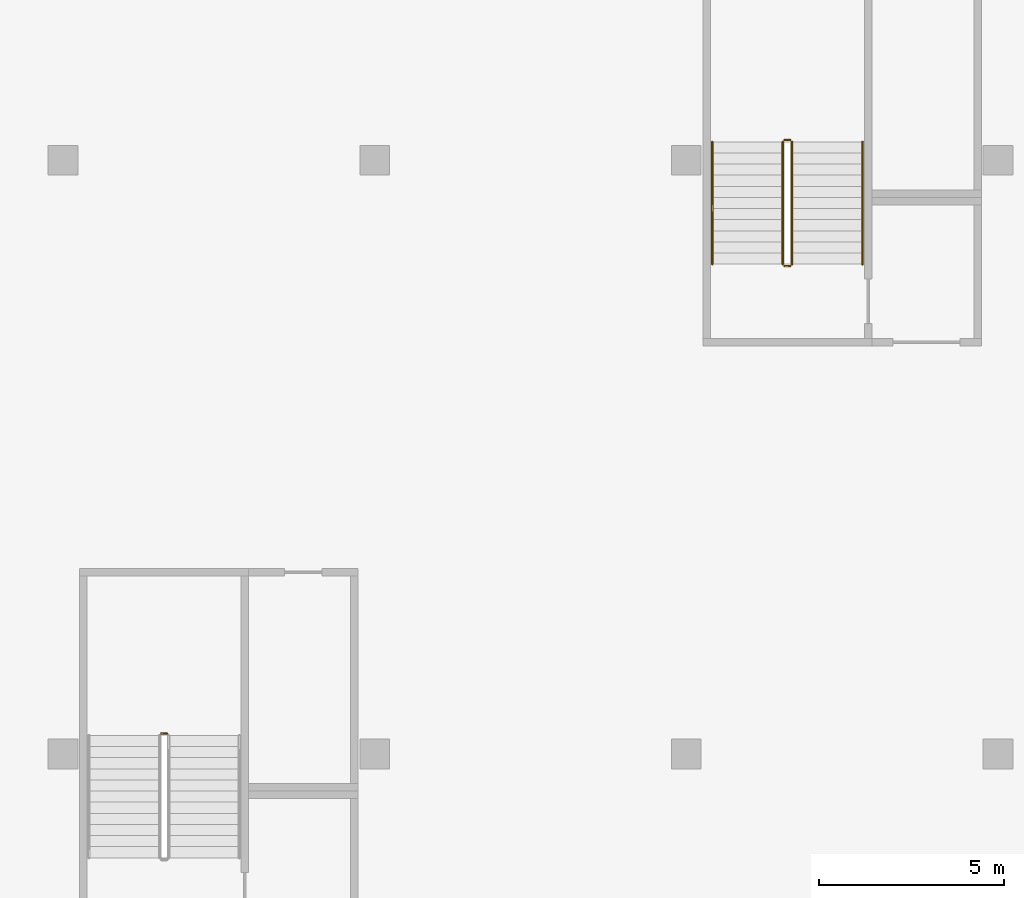
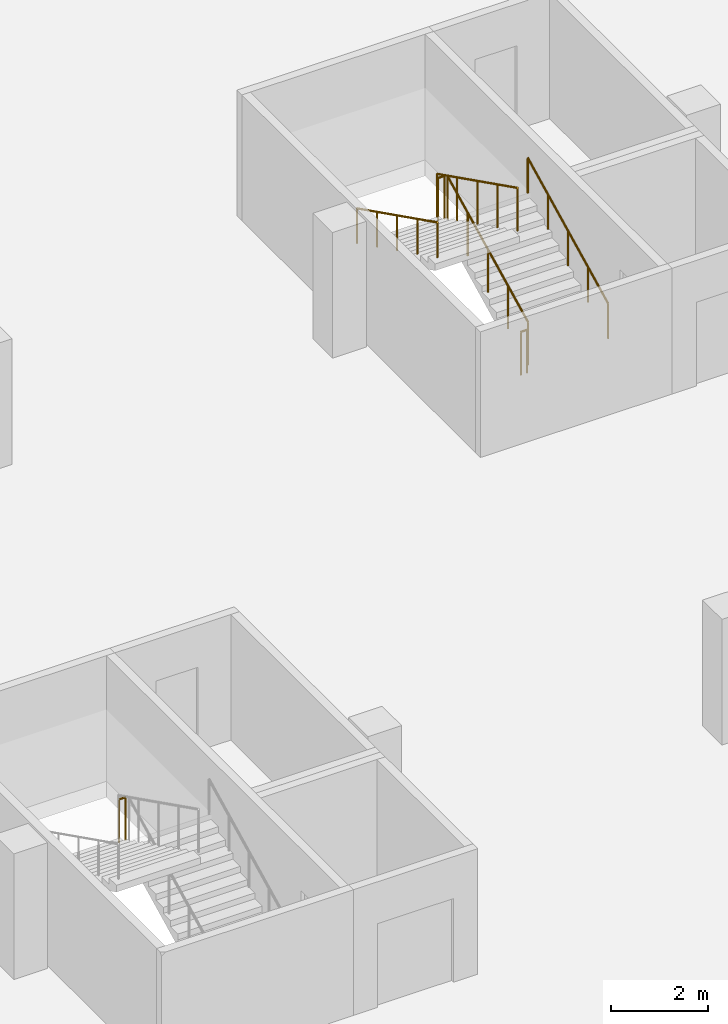
# One storey, part 37 of 37: 7 railings.
"""IFC4 building model written with IfcOpenShell, lengths in metres."""

from ifc_helpers import new_model, si_unit, direction, frame, origin, origin_2d, place, context, subcontext, project, spatial, circle, extrude, material, type_object, element, save


model = new_model("IFC4")

# Units and contexts
model_context = context("Model", 3, precision=1e-05, world=origin(), true_north=direction((0.0, 1.0)))
body_context = subcontext(model_context, "Body", "Model", "MODEL_VIEW")
ifc_project = project(units=[si_unit("LENGTHUNIT", "METRE"), si_unit("AREAUNIT", "SQUARE_METRE"), si_unit("VOLUMEUNIT", "CUBIC_METRE"), si_unit("PLANEANGLEUNIT", "RADIAN"), si_unit("MASSUNIT", "GRAM", prefix="KILO")], contexts=[model_context])

# Site, building, storey
site_placement = place(None, origin())
site = spatial("IfcSite", under=ifc_project, at=site_placement, CompositionType="ELEMENT")
building_placement = place(site_placement, origin())
building = spatial("IfcBuilding", under=site, at=building_placement, Name="Tamra Quay Hotel Tower", CompositionType="ELEMENT")
storey_placement = place(building_placement, frame((0.0, 0.0, -3.60009765625)))
storey = spatial("IfcBuildingStorey", under=building, at=storey_placement, Name="B1", CompositionType="ELEMENT", Elevation=-3.60009765625)

# Railings
ifc_material_1 = material(Name="Basement stair guard 1100")
railing_type_1 = type_object("IfcRailingType", Name="Basement stair guard 1100", PredefinedType="GUARDRAIL", material=ifc_material_1)
railing_1_placement = place(storey_placement, frame((6.10009765625, 48.550048828125, 1.800048828125)))
element("IfcRailing", 1, at=railing_1_placement, inside=storey, type_object=railing_type_1, Name="BSG", PredefinedType="GUARDRAIL", context=body_context, shape_type="SweptSolid", body=[
    extrude(circle(Radius=0.02392578125, at=origin_2d()), frame((0.0, 0.0, 1.076171875), z_axis=(-1.0, 0.0, 0.0), x_axis=(0.0, -1.0, 0.0)), (0.0, 0.0, 1.0), 0.150146484375),
    extrude(circle(Radius=0.02099609375, at=origin_2d()), origin(), (0.0, 0.0, 1.0), 1.052001953125),
    extrude(circle(Radius=0.02099609375, at=origin_2d()), frame((-0.150146484375, 0.0, 0.0)), (0.0, 0.0, 1.0), 1.052001953125),
])
railing_2_placement = place(storey_placement, frame((22.949951171875, 61.199951171875, 0.150146484375)))
element("IfcRailing", 2, at=railing_2_placement, inside=storey, type_object=railing_type_1, Name="BSG", PredefinedType="GUARDRAIL", context=body_context, shape_type="SweptSolid", body=[
    extrude(circle(Radius=0.02392578125, at=origin_2d()), frame((0.0, 0.0, 1.076171875), z_axis=(0.0, 0.894440424912, 0.447187126696), x_axis=(-1.0, 0.0, 0.0)), (0.0, 0.0, 1.0), 3.689453125),
    extrude(circle(Radius=0.02099609375, at=origin_2d()), origin(), (0.0, 0.0, 1.0), 1.052001953125),
    extrude(circle(Radius=0.02099609375, at=origin_2d()), frame((0.0, 0.824951171875, 0.41259765625)), (0.0, 0.0, 1.0), 1.052001953125),
    extrude(circle(Radius=0.02099609375, at=origin_2d()), frame((0.0, 1.64990234375, 0.824951171875)), (0.0, 0.0, 1.0), 1.052001953125),
    extrude(circle(Radius=0.02099609375, at=origin_2d()), frame((0.0, 2.47509765625, 1.2373046875)), (0.0, 0.0, 1.0), 1.052001953125),
    extrude(circle(Radius=0.02099609375, at=origin_2d()), frame((0.0, 3.300048828125, 1.64990234375)), (0.0, 0.0, 1.0), 1.052001953125),
])
railing_3_placement = place(storey_placement, frame((22.89990234375, 64.550048828125, 1.800048828125)))
element("IfcRailing", 3, at=railing_3_placement, inside=storey, type_object=railing_type_1, Name="BSG", PredefinedType="GUARDRAIL", context=body_context, shape_type="SweptSolid", body=[
    extrude(circle(Radius=0.02392578125, at=origin_2d()), frame((0.0, 0.0, 1.076171875), z_axis=(-1.0, 0.0, 0.0), x_axis=(0.0, -1.0, 0.0)), (0.0, 0.0, 1.0), 0.14990234375),
    extrude(circle(Radius=0.02099609375, at=origin_2d()), origin(), (0.0, 0.0, 1.0), 1.052001953125),
    extrude(circle(Radius=0.02099609375, at=origin_2d()), frame((-0.14990234375, 0.0, 0.0)), (0.0, 0.0, 1.0), 1.052001953125),
])
railing_4_placement = place(storey_placement, frame((22.699951171875, 64.5, 1.9501953125)))
element("IfcRailing", 4, at=railing_4_placement, inside=storey, type_object=railing_type_1, Name="BSG", PredefinedType="GUARDRAIL", context=body_context, shape_type="SweptSolid", body=[
    extrude(circle(Radius=0.02392578125, at=origin_2d()), frame((0.0, 0.0, 1.076171875), z_axis=(0.0, -0.894440424912, 0.447187126696), x_axis=(1.0, 0.0, 0.0)), (0.0, 0.0, 1.0), 3.689453125),
    extrude(circle(Radius=0.02099609375, at=origin_2d()), origin(), (0.0, 0.0, 1.0), 1.052001953125),
    extrude(circle(Radius=0.02099609375, at=origin_2d()), frame((0.0, -0.824951171875, 0.41259765625)), (0.0, 0.0, 1.0), 1.052001953125),
    extrude(circle(Radius=0.02099609375, at=origin_2d()), frame((0.0, -1.64990234375, 0.824951171875)), (0.0, 0.0, 1.0), 1.052001953125),
    extrude(circle(Radius=0.02099609375, at=origin_2d()), frame((0.0, -2.47509765625, 1.2373046875)), (0.0, 0.0, 1.0), 1.052001953125),
    extrude(circle(Radius=0.02099609375, at=origin_2d()), frame((0.0, -3.300048828125, 1.64990234375)), (0.0, 0.0, 1.0), 1.052001953125),
])
railing_5_placement = place(storey_placement, frame((22.89990234375, 61.14990234375, 0.0)))
element("IfcRailing", 5, at=railing_5_placement, inside=storey, type_object=railing_type_1, Name="BSG", PredefinedType="GUARDRAIL", context=body_context, shape_type="SweptSolid", body=[
    extrude(circle(Radius=0.02392578125, at=origin_2d()), frame((0.0, 0.0, 1.076171875), z_axis=(-1.0, 0.0, 0.0), x_axis=(0.0, -1.0, 0.0)), (0.0, 0.0, 1.0), 0.14990234375),
    extrude(circle(Radius=0.02099609375, at=origin_2d()), origin(), (0.0, 0.0, 1.0), 1.052001953125),
    extrude(circle(Radius=0.02099609375, at=origin_2d()), frame((-0.14990234375, 0.0, 0.0)), (0.0, 0.0, 1.0), 1.052001953125),
])
ifc_material_2 = material(Name="Basement stair handrail 900")
railing_type_2 = type_object("IfcRailingType", Name="Basement stair handrail 900", PredefinedType="HANDRAIL", material=ifc_material_2)
railing_6_placement = place(storey_placement, frame((24.85009765625, 61.199951171875, 0.150146484375)))
element("IfcRailing", 6, at=railing_6_placement, inside=storey, type_object=railing_type_2, Name="BSH", PredefinedType="HANDRAIL", context=body_context, shape_type="SweptSolid", body=[
    extrude(circle(Radius=0.02392578125, at=origin_2d()), frame((0.0, 0.0, 0.8759765625), z_axis=(0.0, 0.894440424912, 0.447187126696), x_axis=(-1.0, 0.0, 0.0)), (0.0, 0.0, 1.0), 3.689453125),
    extrude(circle(Radius=0.02099609375, at=origin_2d()), origin(), (0.0, 0.0, 1.0), 0.851806640625),
    extrude(circle(Radius=0.02099609375, at=origin_2d()), frame((0.0, 0.824951171875, 0.41259765625)), (0.0, 0.0, 1.0), 0.851806640625),
    extrude(circle(Radius=0.02099609375, at=origin_2d()), frame((0.0, 1.64990234375, 0.824951171875)), (0.0, 0.0, 1.0), 0.851806640625),
    extrude(circle(Radius=0.02099609375, at=origin_2d()), frame((0.0, 2.47509765625, 1.2373046875)), (0.0, 0.0, 1.0), 0.851806640625),
    extrude(circle(Radius=0.02099609375, at=origin_2d()), frame((0.0, 3.300048828125, 1.64990234375)), (0.0, 0.0, 1.0), 0.851806640625),
])
railing_7_placement = place(storey_placement, frame((20.800048828125, 64.5, 1.9501953125)))
element("IfcRailing", 7, at=railing_7_placement, inside=storey, type_object=railing_type_2, Name="BSH", PredefinedType="HANDRAIL", context=body_context, shape_type="SweptSolid", body=[
    extrude(circle(Radius=0.02392578125, at=origin_2d()), frame((0.0, 0.0, 0.8759765625), z_axis=(0.0, -0.894440424912, 0.447187126696), x_axis=(1.0, 0.0, 0.0)), (0.0, 0.0, 1.0), 3.689453125),
    extrude(circle(Radius=0.02099609375, at=origin_2d()), origin(), (0.0, 0.0, 1.0), 0.851806640625),
    extrude(circle(Radius=0.02099609375, at=origin_2d()), frame((0.0, -0.824951171875, 0.41259765625)), (0.0, 0.0, 1.0), 0.851806640625),
    extrude(circle(Radius=0.02099609375, at=origin_2d()), frame((0.0, -1.64990234375, 0.824951171875)), (0.0, 0.0, 1.0), 0.851806640625),
    extrude(circle(Radius=0.02099609375, at=origin_2d()), frame((0.0, -2.47509765625, 1.2373046875)), (0.0, 0.0, 1.0), 0.851806640625),
    extrude(circle(Radius=0.02099609375, at=origin_2d()), frame((0.0, -3.300048828125, 1.64990234375)), (0.0, 0.0, 1.0), 0.851806640625),
])

save(model, "model.ifc")
